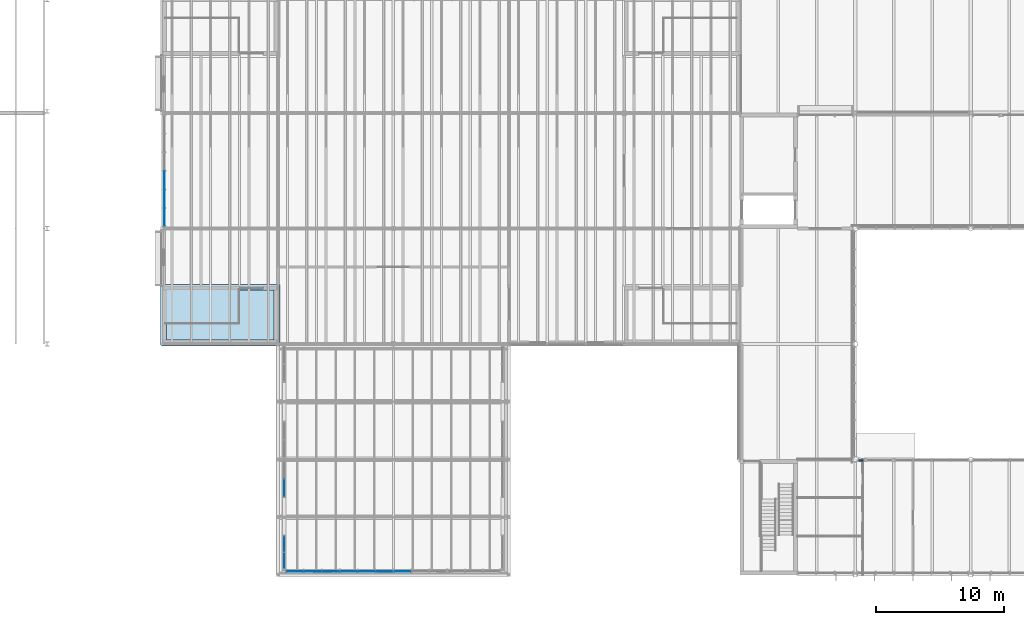
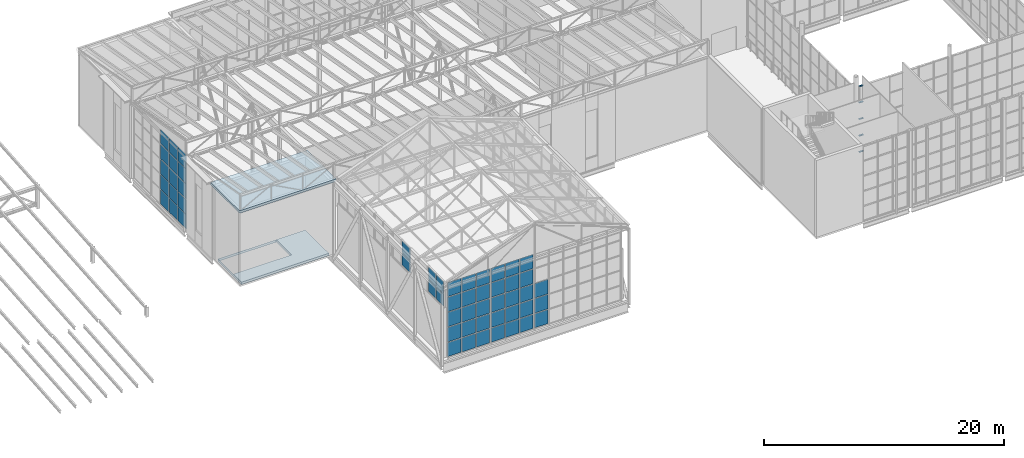
# One storey, part 66 of 90: 54 plates, 5 members, 2 slabs, 7 elements without a shape of their own.
"""IFC4 building model written with IfcOpenShell, lengths in metres."""

from ifc_helpers import new_model, si_unit, direction, frame, origin, origin_2d, place, context, subcontext, project, spatial, polyline, rectangle, outline, extrude, material, layer, layer_set, material_profile, profile_set, type_object, element, aggregate, save


model = new_model("IFC4")

# Units and contexts
model_context = context("Model", 3, precision=1e-05, world=origin(), true_north=direction((0.0, 1.0)))
body_context = subcontext(model_context, "Body", "Model", "MODEL_VIEW")
ifc_project = project(units=[si_unit("LENGTHUNIT", "METRE"), si_unit("AREAUNIT", "SQUARE_METRE"), si_unit("VOLUMEUNIT", "CUBIC_METRE"), si_unit("PLANEANGLEUNIT", "RADIAN"), si_unit("MASSUNIT", "GRAM", prefix="KILO")], contexts=[model_context])

# Site, building, storey
site_placement = place(None, origin())
site = spatial("IfcSite", under=ifc_project, at=site_placement, CompositionType="ELEMENT")
building_placement = place(site_placement, origin())
building = spatial("IfcBuilding", under=site, at=building_placement, Name="Halyard Row Museum", CompositionType="ELEMENT")
storey_placement = place(building_placement, frame((0.0, 0.0, 13.39990234375)))
storey = spatial("IfcBuildingStorey", under=building, at=storey_placement, Name="L03", CompositionType="ELEMENT", Elevation=13.39990234375)

# Curtain wall, members
ifc_material_1 = material(Name="Fire-resisting laminated glazing", Category="glass")
ifc_layer_1 = layer(ifc_material_1, 0.159912109375)
ifc_layer_set_1 = layer_set([ifc_layer_1], Name="Fire-resisting laminated glazing")
curtain_wall_type_1 = type_object("IfcCurtainWallType", Name="Curtain wall atrium screen 160 deep", PredefinedType="NOTDEFINED", material=ifc_layer_set_1)
curtain_wall_1_placement = place(storey_placement, origin())
curtain_wall_1 = element("IfcCurtainWall", 1, at=curtain_wall_1_placement, inside=storey, type_object=curtain_wall_type_1, Name="Curtain wall CW093", PredefinedType="NOTDEFINED")
ifc_material_2 = material(Name="Powder-coated aluminium section", Category="aluminium")
ifc_material_profile = material_profile(ifc_material_2, rectangle(XDim=0.1201171875, YDim=0.06005859375, at=origin_2d()), Name="120x60 transom")
ifc_profile_set = profile_set([ifc_material_profile], Name="Powder-coated aluminium section")
member_type = type_object("IfcMemberType", Name="Curtain wall transom CT5 60 x 120", PredefinedType="USERDEFINED", material=ifc_profile_set)
member_1_placement = place(storey_placement, frame((81.26318359375, 8.919921875, 0.030029296875), z_axis=(1.0, 0.0, 0.0), x_axis=(0.0, 1.0, 0.0)))
member_1 = element("IfcMember", 2, at=member_1_placement, type_object=member_type, Name="CW093 transom 1.1", ObjectType="TRANSOM", PredefinedType="USERDEFINED", context=body_context, shape_type="SweptSolid", body=[
    extrude(rectangle(XDim=0.1201171875, YDim=0.06005859375, at=origin_2d()), origin(), (0.0, 0.0, 1.0), 0.376708984375),
])
member_2_placement = place(storey_placement, frame((81.26318359375, 8.919921875, 1.68310546875), z_axis=(1.0, 0.0, 0.0), x_axis=(0.0, 1.0, 0.0)))
member_2 = element("IfcMember", 3, at=member_2_placement, type_object=member_type, Name="CW093 transom 1.2", ObjectType="TRANSOM", PredefinedType="USERDEFINED", context=body_context, shape_type="SweptSolid", body=[
    extrude(rectangle(XDim=0.1201171875, YDim=0.06005859375, at=origin_2d()), origin(), (0.0, 0.0, 1.0), 0.376708984375),
])
member_3_placement = place(storey_placement, frame((81.26318359375, 8.919921875, 3.3662109375), z_axis=(1.0, 0.0, 0.0), x_axis=(0.0, 1.0, 0.0)))
member_3 = element("IfcMember", 4, at=member_3_placement, type_object=member_type, Name="CW093 transom 1.3", ObjectType="TRANSOM", PredefinedType="USERDEFINED", context=body_context, shape_type="SweptSolid", body=[
    extrude(rectangle(XDim=0.1201171875, YDim=0.06005859375, at=origin_2d()), origin(), (0.0, 0.0, 1.0), 0.376708984375),
])
member_4_placement = place(storey_placement, frame((81.26318359375, 8.919921875, 5.049072265625), z_axis=(1.0, 0.0, 0.0), x_axis=(0.0, 1.0, 0.0)))
member_4 = element("IfcMember", 5, at=member_4_placement, type_object=member_type, Name="CW093 transom 1.4", ObjectType="TRANSOM", PredefinedType="USERDEFINED", context=body_context, shape_type="SweptSolid", body=[
    extrude(rectangle(XDim=0.1201171875, YDim=0.06005859375, at=origin_2d()), origin(), (0.0, 0.0, 1.0), 0.376708984375),
])
member_5_placement = place(storey_placement, frame((81.26318359375, 8.919921875, 6.7021484375), z_axis=(1.0, 0.0, 0.0), x_axis=(0.0, 1.0, 0.0)))
member_5 = element("IfcMember", 6, at=member_5_placement, type_object=member_type, Name="CW093 transom 1.5", ObjectType="TRANSOM", PredefinedType="USERDEFINED", context=body_context, shape_type="SweptSolid", body=[
    extrude(rectangle(XDim=0.1201171875, YDim=0.06005859375, at=origin_2d()), origin(), (0.0, 0.0, 1.0), 0.376708984375),
])
aggregate(curtain_wall_1, [member_1, member_2, member_3, member_4, member_5])

# Slabs
ifc_material_3 = material(Name="Concrete 40 MPa", Category="concrete")
ifc_layer_2 = layer(ifc_material_3, 0.25)
ifc_layer_set_2 = layer_set([ifc_layer_2], Name="Concrete 40 MPa")
slab_type_1 = type_object("IfcSlabType", Name="Core floor slab 250", PredefinedType="FLOOR", material=ifc_layer_set_2)
slab_1_placement = place(storey_placement, frame((0.0, 0.0, -0.25)))
element("IfcSlab", 7, at=slab_1_placement, inside=storey, type_object=slab_type_1, Name="Core floor K1D L03", PredefinedType="FLOOR", context=body_context, shape_type="SweptSolid", body=[
    extrude(outline(polyline([(35.699951171875, 22.199951171875), (27.300048828125, 22.199951171875), (27.300048828125, 18.300048828125), (35.699951171875, 18.300048828125), (35.699951171875, 22.199951171875)]), holes=[polyline([(27.302978515625, 19.653076171875), (27.302978515625, 22.197021484375), (32.89697265625, 22.197021484375), (32.89697265625, 19.653076171875), (27.302978515625, 19.653076171875)])]), origin(), (0.0, 0.0, 1.0), 0.25),
])
ifc_material_4 = material(Name="Concrete 40 MPa", Category="concrete")
ifc_layer_3 = layer(ifc_material_4, 0.25)
ifc_layer_set_3 = layer_set([ifc_layer_3], Name="Concrete 40 MPa")
slab_type_2 = type_object("IfcSlabType", Name="Core roof slab 250 reinforced concrete", PredefinedType="ROOF", material=ifc_layer_set_3)
slab_2_placement = place(storey_placement, frame((0.0, 0.0, 7.42822265625)))
element("IfcSlab", 8, at=slab_2_placement, inside=storey, type_object=slab_type_2, Name="Core roof K1D", PredefinedType="ROOF", context=body_context, shape_type="SweptSolid", body=[
    extrude(outline(polyline([(36.14990234375, 22.64990234375), (36.14990234375, 17.85009765625), (27.0, 17.85009765625), (26.9853515625, 17.850830078125), (26.970703125, 17.852783203125), (26.95654296875, 17.8564453125), (26.942626953125, 17.861328125), (26.92919921875, 17.86767578125), (26.916748046875, 17.875244140625), (26.90478515625, 17.884033203125), (26.89404296875, 17.89404296875), (26.884033203125, 17.90478515625), (26.875244140625, 17.916748046875), (26.86767578125, 17.92919921875), (26.861328125, 17.942626953125), (26.8564453125, 17.95654296875), (26.852783203125, 17.970703125), (26.850830078125, 17.9853515625), (26.85009765625, 18.0), (26.85009765625, 22.64990234375), (36.14990234375, 22.64990234375)])), origin(), (0.0, 0.0, 1.0), 0.25),
])

# Curtain wall, plates
ifc_material_5 = material(Name="Double glazed unit, low-emissivity", Category="glass")
ifc_layer_4 = layer(ifc_material_5, 0.179931640625)
ifc_layer_set_4 = layer_set([ifc_layer_4], Name="Double glazed unit, low-emissivity")
curtain_wall_type_2 = type_object("IfcCurtainWallType", Name="Curtain wall stick 180 deep", PredefinedType="NOTDEFINED", material=ifc_layer_set_4)
curtain_wall_2_placement = place(storey_placement, origin())
curtain_wall_2 = element("IfcCurtainWall", 9, at=curtain_wall_2_placement, inside=storey, type_object=curtain_wall_type_2, Name="Curtain wall CW067", PredefinedType="NOTDEFINED")
ifc_material_6 = material(Name="Double glazed unit, low-emissivity", Category="glass")
ifc_layer_5 = layer(ifc_material_6, 0.028076171875)
ifc_layer_set_5 = layer_set([ifc_layer_5], Name="Double glazed unit, low-emissivity")
plate_type_1 = type_object("IfcPlateType", Name="Curtain wall glazed panel CP2 28", PredefinedType="CURTAIN_PANEL", material=ifc_layer_set_5)
plate_1_placement = place(storey_placement, frame((36.489990234375, 1.123291015625, 5.1328125), z_axis=(0.0, 0.0, 1.0), x_axis=(0.0, 1.0, 0.0)))
plate_1 = element("IfcPlate", 10, at=plate_1_placement, type_object=plate_type_1, Name="CW067 panel 1.1", PredefinedType="CURTAIN_PANEL", context=body_context, shape_type="SweptSolid", body=[
    extrude(rectangle(XDim=1.2265625, YDim=0.028076171875, at=origin_2d()), origin(), (0.0, 0.0, 1.0), 1.2099609375),
])
plate_2_placement = place(storey_placement, frame((36.489990234375, 1.123291015625, 6.40283203125), z_axis=(0.0, 0.0, 1.0), x_axis=(0.0, 1.0, 0.0)))
plate_2 = element("IfcPlate", 11, at=plate_2_placement, type_object=plate_type_1, Name="CW067 panel 1.2", PredefinedType="CURTAIN_PANEL", context=body_context, shape_type="SweptSolid", body=[
    extrude(rectangle(XDim=1.2265625, YDim=0.028076171875, at=origin_2d()), origin(), (0.0, 0.0, 1.0), 1.2099609375),
])
plate_3_placement = place(storey_placement, frame((36.489990234375, 2.409912109375, 5.1328125), z_axis=(0.0, 0.0, 1.0), x_axis=(0.0, 1.0, 0.0)))
plate_3 = element("IfcPlate", 12, at=plate_3_placement, type_object=plate_type_1, Name="CW067 panel 2.1", PredefinedType="CURTAIN_PANEL", context=body_context, shape_type="SweptSolid", body=[
    extrude(rectangle(XDim=1.2265625, YDim=0.028076171875, at=origin_2d()), origin(), (0.0, 0.0, 1.0), 1.2099609375),
])
plate_4_placement = place(storey_placement, frame((36.489990234375, 2.409912109375, 6.40283203125), z_axis=(0.0, 0.0, 1.0), x_axis=(0.0, 1.0, 0.0)))
plate_4 = element("IfcPlate", 13, at=plate_4_placement, type_object=plate_type_1, Name="CW067 panel 2.2", PredefinedType="CURTAIN_PANEL", context=body_context, shape_type="SweptSolid", body=[
    extrude(rectangle(XDim=1.2265625, YDim=0.028076171875, at=origin_2d()), origin(), (0.0, 0.0, 1.0), 1.2099609375),
])
aggregate(curtain_wall_2, [plate_1, plate_2, plate_3, plate_4])

curtain_wall_3_placement = place(storey_placement, origin())
curtain_wall_3 = element("IfcCurtainWall", 14, at=curtain_wall_3_placement, inside=storey, type_object=curtain_wall_type_2, Name="Curtain wall CW068", PredefinedType="NOTDEFINED")
plate_5_placement = place(storey_placement, frame((36.489990234375, 6.764892578125, 5.1328125), z_axis=(0.0, 0.0, 1.0), x_axis=(0.0, 1.0, 0.0)))
plate_5 = element("IfcPlate", 15, at=plate_5_placement, type_object=plate_type_1, Name="CW068 panel 1.1", PredefinedType="CURTAIN_PANEL", context=body_context, shape_type="SweptSolid", body=[
    extrude(rectangle(XDim=1.34326171875, YDim=0.028076171875, at=origin_2d()), origin(), (0.0, 0.0, 1.0), 1.2099609375),
])
plate_6_placement = place(storey_placement, frame((36.489990234375, 6.764892578125, 6.40283203125), z_axis=(0.0, 0.0, 1.0), x_axis=(0.0, 1.0, 0.0)))
plate_6 = element("IfcPlate", 16, at=plate_6_placement, type_object=plate_type_1, Name="CW068 panel 1.2", PredefinedType="CURTAIN_PANEL", context=body_context, shape_type="SweptSolid", body=[
    extrude(rectangle(XDim=1.34326171875, YDim=0.028076171875, at=origin_2d()), origin(), (0.0, 0.0, 1.0), 1.2099609375),
])
aggregate(curtain_wall_3, [plate_5, plate_6])

ifc_material_7 = material(Name="Double glazed unit, low-emissivity", Category="glass")
ifc_layer_6 = layer(ifc_material_7, 0.300048828125)
ifc_layer_set_6 = layer_set([ifc_layer_6], Name="Double glazed unit, low-emissivity")
curtain_wall_type_3 = type_object("IfcCurtainWallType", Name="Curtain wall deep-framed 300 deep", PredefinedType="NOTDEFINED", material=ifc_layer_set_6)
curtain_wall_4_placement = place(storey_placement, origin())
curtain_wall_4 = element("IfcCurtainWall", 17, at=curtain_wall_4_placement, inside=storey, type_object=curtain_wall_type_3, Name="Curtain wall CW063", PredefinedType="NOTDEFINED")
ifc_material_8 = material(Name="Double glazed unit, low-emissivity", Category="glass")
ifc_layer_7 = layer(ifc_material_8, 0.0400390625)
ifc_layer_set_7 = layer_set([ifc_layer_7], Name="Double glazed unit, low-emissivity")
plate_type_2 = type_object("IfcPlateType", Name="Curtain wall glazed panel CP6 40", PredefinedType="CURTAIN_PANEL", material=ifc_layer_set_7)
plate_7_placement = place(storey_placement, frame((37.34619140625, 0.27490234375, 0.0751953125), z_axis=(0.0, 0.0, 1.0), x_axis=(1.0, 0.0, 0.0)))
plate_7 = element("IfcPlate", 18, at=plate_7_placement, type_object=plate_type_2, Name="CW063 panel 1.1", PredefinedType="CURTAIN_PANEL", context=body_context, shape_type="SweptSolid", body=[
    extrude(rectangle(XDim=1.282470703125, YDim=0.0400390625, at=origin_2d()), origin(), (0.0, 0.0, 1.0), 1.422119140625),
])
plate_8_placement = place(storey_placement, frame((37.34619140625, 0.27490234375, 1.572265625), z_axis=(0.0, 0.0, 1.0), x_axis=(1.0, 0.0, 0.0)))
plate_8 = element("IfcPlate", 19, at=plate_8_placement, type_object=plate_type_2, Name="CW063 panel 1.2", PredefinedType="CURTAIN_PANEL", context=body_context, shape_type="SweptSolid", body=[
    extrude(rectangle(XDim=1.282470703125, YDim=0.0400390625, at=origin_2d()), origin(), (0.0, 0.0, 1.0), 1.45947265625),
])
plate_9_placement = place(storey_placement, frame((37.34619140625, 0.27490234375, 3.106689453125), z_axis=(0.0, 0.0, 1.0), x_axis=(1.0, 0.0, 0.0)))
plate_9 = element("IfcPlate", 20, at=plate_9_placement, type_object=plate_type_2, Name="CW063 panel 1.3", PredefinedType="CURTAIN_PANEL", context=body_context, shape_type="SweptSolid", body=[
    extrude(rectangle(XDim=1.282470703125, YDim=0.0400390625, at=origin_2d()), origin(), (0.0, 0.0, 1.0), 1.45947265625),
])
plate_10_placement = place(storey_placement, frame((37.34619140625, 0.27490234375, 4.64111328125), z_axis=(0.0, 0.0, 1.0), x_axis=(1.0, 0.0, 0.0)))
plate_10 = element("IfcPlate", 21, at=plate_10_placement, type_object=plate_type_2, Name="CW063 panel 1.4", PredefinedType="CURTAIN_PANEL", context=body_context, shape_type="SweptSolid", body=[
    extrude(rectangle(XDim=1.282470703125, YDim=0.0400390625, at=origin_2d()), origin(), (0.0, 0.0, 1.0), 1.45947265625),
])
plate_11_placement = place(storey_placement, frame((37.34619140625, 0.27490234375, 6.17578125), z_axis=(0.0, 0.0, 1.0), x_axis=(1.0, 0.0, 0.0)))
plate_11 = element("IfcPlate", 22, at=plate_11_placement, type_object=plate_type_2, Name="CW063 panel 1.5", PredefinedType="CURTAIN_PANEL", context=body_context, shape_type="SweptSolid", body=[
    extrude(rectangle(XDim=1.282470703125, YDim=0.0400390625, at=origin_2d()), origin(), (0.0, 0.0, 1.0), 1.422119140625),
])
plate_12_placement = place(storey_placement, frame((38.722412109375, 0.27490234375, 0.0751953125), z_axis=(0.0, 0.0, 1.0), x_axis=(1.0, 0.0, 0.0)))
plate_12 = element("IfcPlate", 23, at=plate_12_placement, type_object=plate_type_2, Name="CW063 panel 2.1", PredefinedType="CURTAIN_PANEL", context=body_context, shape_type="SweptSolid", body=[
    extrude(rectangle(XDim=1.320068359375, YDim=0.0400390625, at=origin_2d()), origin(), (0.0, 0.0, 1.0), 1.422119140625),
])
plate_13_placement = place(storey_placement, frame((38.722412109375, 0.27490234375, 1.572265625), z_axis=(0.0, 0.0, 1.0), x_axis=(1.0, 0.0, 0.0)))
plate_13 = element("IfcPlate", 24, at=plate_13_placement, type_object=plate_type_2, Name="CW063 panel 2.2", PredefinedType="CURTAIN_PANEL", context=body_context, shape_type="SweptSolid", body=[
    extrude(rectangle(XDim=1.320068359375, YDim=0.0400390625, at=origin_2d()), origin(), (0.0, 0.0, 1.0), 1.45947265625),
])
plate_14_placement = place(storey_placement, frame((38.722412109375, 0.27490234375, 3.106689453125), z_axis=(0.0, 0.0, 1.0), x_axis=(1.0, 0.0, 0.0)))
plate_14 = element("IfcPlate", 25, at=plate_14_placement, type_object=plate_type_2, Name="CW063 panel 2.3", PredefinedType="CURTAIN_PANEL", context=body_context, shape_type="SweptSolid", body=[
    extrude(rectangle(XDim=1.320068359375, YDim=0.0400390625, at=origin_2d()), origin(), (0.0, 0.0, 1.0), 1.45947265625),
])
plate_15_placement = place(storey_placement, frame((38.722412109375, 0.27490234375, 4.64111328125), z_axis=(0.0, 0.0, 1.0), x_axis=(1.0, 0.0, 0.0)))
plate_15 = element("IfcPlate", 26, at=plate_15_placement, type_object=plate_type_2, Name="CW063 panel 2.4", PredefinedType="CURTAIN_PANEL", context=body_context, shape_type="SweptSolid", body=[
    extrude(rectangle(XDim=1.320068359375, YDim=0.0400390625, at=origin_2d()), origin(), (0.0, 0.0, 1.0), 1.45947265625),
])
plate_16_placement = place(storey_placement, frame((38.722412109375, 0.27490234375, 6.17578125), z_axis=(0.0, 0.0, 1.0), x_axis=(1.0, 0.0, 0.0)))
plate_16 = element("IfcPlate", 27, at=plate_16_placement, type_object=plate_type_2, Name="CW063 panel 2.5", PredefinedType="CURTAIN_PANEL", context=body_context, shape_type="SweptSolid", body=[
    extrude(rectangle(XDim=1.320068359375, YDim=0.0400390625, at=origin_2d()), origin(), (0.0, 0.0, 1.0), 1.422119140625),
])
plate_17_placement = place(storey_placement, frame((40.0986328125, 0.27490234375, 0.0751953125), z_axis=(0.0, 0.0, 1.0), x_axis=(1.0, 0.0, 0.0)))
plate_17 = element("IfcPlate", 28, at=plate_17_placement, type_object=plate_type_2, Name="CW063 panel 3.1", PredefinedType="CURTAIN_PANEL", context=body_context, shape_type="SweptSolid", body=[
    extrude(rectangle(XDim=1.282470703125, YDim=0.0400390625, at=origin_2d()), origin(), (0.0, 0.0, 1.0), 1.422119140625),
])
plate_18_placement = place(storey_placement, frame((40.0986328125, 0.27490234375, 1.572265625), z_axis=(0.0, 0.0, 1.0), x_axis=(1.0, 0.0, 0.0)))
plate_18 = element("IfcPlate", 29, at=plate_18_placement, type_object=plate_type_2, Name="CW063 panel 3.2", PredefinedType="CURTAIN_PANEL", context=body_context, shape_type="SweptSolid", body=[
    extrude(rectangle(XDim=1.282470703125, YDim=0.0400390625, at=origin_2d()), origin(), (0.0, 0.0, 1.0), 1.45947265625),
])
plate_19_placement = place(storey_placement, frame((40.0986328125, 0.27490234375, 3.106689453125), z_axis=(0.0, 0.0, 1.0), x_axis=(1.0, 0.0, 0.0)))
plate_19 = element("IfcPlate", 30, at=plate_19_placement, type_object=plate_type_2, Name="CW063 panel 3.3", PredefinedType="CURTAIN_PANEL", context=body_context, shape_type="SweptSolid", body=[
    extrude(rectangle(XDim=1.282470703125, YDim=0.0400390625, at=origin_2d()), origin(), (0.0, 0.0, 1.0), 1.45947265625),
])
plate_20_placement = place(storey_placement, frame((40.0986328125, 0.27490234375, 4.64111328125), z_axis=(0.0, 0.0, 1.0), x_axis=(1.0, 0.0, 0.0)))
plate_20 = element("IfcPlate", 31, at=plate_20_placement, type_object=plate_type_2, Name="CW063 panel 3.4", PredefinedType="CURTAIN_PANEL", context=body_context, shape_type="SweptSolid", body=[
    extrude(rectangle(XDim=1.282470703125, YDim=0.0400390625, at=origin_2d()), origin(), (0.0, 0.0, 1.0), 1.45947265625),
])
plate_21_placement = place(storey_placement, frame((40.0986328125, 0.27490234375, 6.17578125), z_axis=(0.0, 0.0, 1.0), x_axis=(1.0, 0.0, 0.0)))
plate_21 = element("IfcPlate", 32, at=plate_21_placement, type_object=plate_type_2, Name="CW063 panel 3.5", PredefinedType="CURTAIN_PANEL", context=body_context, shape_type="SweptSolid", body=[
    extrude(rectangle(XDim=1.282470703125, YDim=0.0400390625, at=origin_2d()), origin(), (0.0, 0.0, 1.0), 1.422119140625),
])
aggregate(curtain_wall_4, [plate_7, plate_8, plate_9, plate_10, plate_11, plate_12, plate_13, plate_14, plate_15, plate_16, plate_17, plate_18, plate_19, plate_20, plate_21])

curtain_wall_5_placement = place(storey_placement, origin())
curtain_wall_5 = element("IfcCurtainWall", 33, at=curtain_wall_5_placement, inside=storey, type_object=curtain_wall_type_3, Name="Curtain wall CW064", PredefinedType="NOTDEFINED")
plate_22_placement = place(storey_placement, frame((41.53125, 0.27490234375, 0.0751953125), z_axis=(0.0, 0.0, 1.0), x_axis=(1.0, 0.0, 0.0)))
plate_22 = element("IfcPlate", 34, at=plate_22_placement, type_object=plate_type_2, Name="CW064 panel 1.1", PredefinedType="CURTAIN_PANEL", context=body_context, shape_type="SweptSolid", body=[
    extrude(rectangle(XDim=1.282470703125, YDim=0.0400390625, at=origin_2d()), origin(), (0.0, 0.0, 1.0), 1.422119140625),
])
plate_23_placement = place(storey_placement, frame((41.53125, 0.27490234375, 1.572265625), z_axis=(0.0, 0.0, 1.0), x_axis=(1.0, 0.0, 0.0)))
plate_23 = element("IfcPlate", 35, at=plate_23_placement, type_object=plate_type_2, Name="CW064 panel 1.2", PredefinedType="CURTAIN_PANEL", context=body_context, shape_type="SweptSolid", body=[
    extrude(rectangle(XDim=1.282470703125, YDim=0.0400390625, at=origin_2d()), origin(), (0.0, 0.0, 1.0), 1.45947265625),
])
plate_24_placement = place(storey_placement, frame((41.53125, 0.27490234375, 3.106689453125), z_axis=(0.0, 0.0, 1.0), x_axis=(1.0, 0.0, 0.0)))
plate_24 = element("IfcPlate", 36, at=plate_24_placement, type_object=plate_type_2, Name="CW064 panel 1.3", PredefinedType="CURTAIN_PANEL", context=body_context, shape_type="SweptSolid", body=[
    extrude(rectangle(XDim=1.282470703125, YDim=0.0400390625, at=origin_2d()), origin(), (0.0, 0.0, 1.0), 1.45947265625),
])
plate_25_placement = place(storey_placement, frame((41.53125, 0.27490234375, 4.64111328125), z_axis=(0.0, 0.0, 1.0), x_axis=(1.0, 0.0, 0.0)))
plate_25 = element("IfcPlate", 37, at=plate_25_placement, type_object=plate_type_2, Name="CW064 panel 1.4", PredefinedType="CURTAIN_PANEL", context=body_context, shape_type="SweptSolid", body=[
    extrude(rectangle(XDim=1.282470703125, YDim=0.0400390625, at=origin_2d()), origin(), (0.0, 0.0, 1.0), 1.45947265625),
])
plate_26_placement = place(storey_placement, frame((41.53125, 0.27490234375, 6.17578125), z_axis=(0.0, 0.0, 1.0), x_axis=(1.0, 0.0, 0.0)))
plate_26 = element("IfcPlate", 38, at=plate_26_placement, type_object=plate_type_2, Name="CW064 panel 1.5", PredefinedType="CURTAIN_PANEL", context=body_context, shape_type="SweptSolid", body=[
    extrude(rectangle(XDim=1.282470703125, YDim=0.0400390625, at=origin_2d()), origin(), (0.0, 0.0, 1.0), 1.422119140625),
])
plate_27_placement = place(storey_placement, frame((42.907470703125, 0.27490234375, 0.0751953125), z_axis=(0.0, 0.0, 1.0), x_axis=(1.0, 0.0, 0.0)))
plate_27 = element("IfcPlate", 39, at=plate_27_placement, type_object=plate_type_2, Name="CW064 panel 2.1", PredefinedType="CURTAIN_PANEL", context=body_context, shape_type="SweptSolid", body=[
    extrude(rectangle(XDim=1.320068359375, YDim=0.0400390625, at=origin_2d()), origin(), (0.0, 0.0, 1.0), 1.422119140625),
])
plate_28_placement = place(storey_placement, frame((42.907470703125, 0.27490234375, 1.572265625), z_axis=(0.0, 0.0, 1.0), x_axis=(1.0, 0.0, 0.0)))
plate_28 = element("IfcPlate", 40, at=plate_28_placement, type_object=plate_type_2, Name="CW064 panel 2.2", PredefinedType="CURTAIN_PANEL", context=body_context, shape_type="SweptSolid", body=[
    extrude(rectangle(XDim=1.320068359375, YDim=0.0400390625, at=origin_2d()), origin(), (0.0, 0.0, 1.0), 1.45947265625),
])
plate_29_placement = place(storey_placement, frame((42.907470703125, 0.27490234375, 3.106689453125), z_axis=(0.0, 0.0, 1.0), x_axis=(1.0, 0.0, 0.0)))
plate_29 = element("IfcPlate", 41, at=plate_29_placement, type_object=plate_type_2, Name="CW064 panel 2.3", PredefinedType="CURTAIN_PANEL", context=body_context, shape_type="SweptSolid", body=[
    extrude(rectangle(XDim=1.320068359375, YDim=0.0400390625, at=origin_2d()), origin(), (0.0, 0.0, 1.0), 1.45947265625),
])
plate_30_placement = place(storey_placement, frame((42.907470703125, 0.27490234375, 4.64111328125), z_axis=(0.0, 0.0, 1.0), x_axis=(1.0, 0.0, 0.0)))
plate_30 = element("IfcPlate", 42, at=plate_30_placement, type_object=plate_type_2, Name="CW064 panel 2.4", PredefinedType="CURTAIN_PANEL", context=body_context, shape_type="SweptSolid", body=[
    extrude(rectangle(XDim=1.320068359375, YDim=0.0400390625, at=origin_2d()), origin(), (0.0, 0.0, 1.0), 1.45947265625),
])
plate_31_placement = place(storey_placement, frame((42.907470703125, 0.27490234375, 6.17578125), z_axis=(0.0, 0.0, 1.0), x_axis=(1.0, 0.0, 0.0)))
plate_31 = element("IfcPlate", 43, at=plate_31_placement, type_object=plate_type_2, Name="CW064 panel 2.5", PredefinedType="CURTAIN_PANEL", context=body_context, shape_type="SweptSolid", body=[
    extrude(rectangle(XDim=1.320068359375, YDim=0.0400390625, at=origin_2d()), origin(), (0.0, 0.0, 1.0), 1.422119140625),
])
plate_32_placement = place(storey_placement, frame((44.28369140625, 0.27490234375, 0.0751953125), z_axis=(0.0, 0.0, 1.0), x_axis=(1.0, 0.0, 0.0)))
plate_32 = element("IfcPlate", 44, at=plate_32_placement, type_object=plate_type_2, Name="CW064 panel 3.1", PredefinedType="CURTAIN_PANEL", context=body_context, shape_type="SweptSolid", body=[
    extrude(rectangle(XDim=1.282470703125, YDim=0.0400390625, at=origin_2d()), origin(), (0.0, 0.0, 1.0), 1.422119140625),
])
plate_33_placement = place(storey_placement, frame((44.28369140625, 0.27490234375, 1.572265625), z_axis=(0.0, 0.0, 1.0), x_axis=(1.0, 0.0, 0.0)))
plate_33 = element("IfcPlate", 45, at=plate_33_placement, type_object=plate_type_2, Name="CW064 panel 3.2", PredefinedType="CURTAIN_PANEL", context=body_context, shape_type="SweptSolid", body=[
    extrude(rectangle(XDim=1.282470703125, YDim=0.0400390625, at=origin_2d()), origin(), (0.0, 0.0, 1.0), 1.45947265625),
])
plate_34_placement = place(storey_placement, frame((44.28369140625, 0.27490234375, 3.106689453125), z_axis=(0.0, 0.0, 1.0), x_axis=(1.0, 0.0, 0.0)))
plate_34 = element("IfcPlate", 46, at=plate_34_placement, type_object=plate_type_2, Name="CW064 panel 3.3", PredefinedType="CURTAIN_PANEL", context=body_context, shape_type="SweptSolid", body=[
    extrude(rectangle(XDim=1.282470703125, YDim=0.0400390625, at=origin_2d()), origin(), (0.0, 0.0, 1.0), 1.45947265625),
])
plate_35_placement = place(storey_placement, frame((44.28369140625, 0.27490234375, 4.64111328125), z_axis=(0.0, 0.0, 1.0), x_axis=(1.0, 0.0, 0.0)))
plate_35 = element("IfcPlate", 47, at=plate_35_placement, type_object=plate_type_2, Name="CW064 panel 3.4", PredefinedType="CURTAIN_PANEL", context=body_context, shape_type="SweptSolid", body=[
    extrude(rectangle(XDim=1.282470703125, YDim=0.0400390625, at=origin_2d()), origin(), (0.0, 0.0, 1.0), 1.45947265625),
])
plate_36_placement = place(storey_placement, frame((44.28369140625, 0.27490234375, 6.17578125), z_axis=(0.0, 0.0, 1.0), x_axis=(1.0, 0.0, 0.0)))
plate_36 = element("IfcPlate", 48, at=plate_36_placement, type_object=plate_type_2, Name="CW064 panel 3.5", PredefinedType="CURTAIN_PANEL", context=body_context, shape_type="SweptSolid", body=[
    extrude(rectangle(XDim=1.282470703125, YDim=0.0400390625, at=origin_2d()), origin(), (0.0, 0.0, 1.0), 1.422119140625),
])
aggregate(curtain_wall_5, [plate_22, plate_23, plate_24, plate_25, plate_26, plate_27, plate_28, plate_29, plate_30, plate_31, plate_32, plate_33, plate_34, plate_35, plate_36])

curtain_wall_6_placement = place(storey_placement, origin())
curtain_wall_6 = element("IfcCurtainWall", 49, at=curtain_wall_6_placement, inside=storey, type_object=curtain_wall_type_3, Name="Curtain wall CW065", PredefinedType="NOTDEFINED")
plate_37_placement = place(storey_placement, frame((45.71630859375, 0.27490234375, 0.0751953125), z_axis=(0.0, 0.0, 1.0), x_axis=(1.0, 0.0, 0.0)))
plate_37 = element("IfcPlate", 50, at=plate_37_placement, type_object=plate_type_2, Name="CW065 panel 1.1", PredefinedType="CURTAIN_PANEL", context=body_context, shape_type="SweptSolid", body=[
    extrude(rectangle(XDim=1.282470703125, YDim=0.0400390625, at=origin_2d()), origin(), (0.0, 0.0, 1.0), 1.422119140625),
])
plate_38_placement = place(storey_placement, frame((45.71630859375, 0.27490234375, 1.572265625), z_axis=(0.0, 0.0, 1.0), x_axis=(1.0, 0.0, 0.0)))
plate_38 = element("IfcPlate", 51, at=plate_38_placement, type_object=plate_type_2, Name="CW065 panel 1.2", PredefinedType="CURTAIN_PANEL", context=body_context, shape_type="SweptSolid", body=[
    extrude(rectangle(XDim=1.282470703125, YDim=0.0400390625, at=origin_2d()), origin(), (0.0, 0.0, 1.0), 1.45947265625),
])
plate_39_placement = place(storey_placement, frame((45.71630859375, 0.27490234375, 3.106689453125), z_axis=(0.0, 0.0, 1.0), x_axis=(1.0, 0.0, 0.0)))
plate_39 = element("IfcPlate", 52, at=plate_39_placement, type_object=plate_type_2, Name="CW065 panel 1.3", PredefinedType="CURTAIN_PANEL", context=body_context, shape_type="SweptSolid", body=[
    extrude(rectangle(XDim=1.282470703125, YDim=0.0400390625, at=origin_2d()), origin(), (0.0, 0.0, 1.0), 1.45947265625),
])
aggregate(curtain_wall_6, [plate_37, plate_38, plate_39])

ifc_material_9 = material(Name="Double glazed unit, low-emissivity", Category="glass")
ifc_layer_8 = layer(ifc_material_9, 0.199951171875)
ifc_layer_set_8 = layer_set([ifc_layer_8], Name="Double glazed unit, low-emissivity")
curtain_wall_type_4 = type_object("IfcCurtainWallType", Name="Curtain wall gable 200 deep", PredefinedType="NOTDEFINED", material=ifc_layer_set_8)
curtain_wall_7_placement = place(storey_placement, origin())
curtain_wall_7 = element("IfcCurtainWall", 53, at=curtain_wall_7_placement, inside=storey, type_object=curtain_wall_type_4, Name="Curtain wall CW054", PredefinedType="NOTDEFINED")
ifc_material_10 = material(Name="Double glazed unit, low-emissivity", Category="glass")
ifc_layer_9 = layer(ifc_material_10, 0.030029296875)
ifc_layer_set_9 = layer_set([ifc_layer_9], Name="Double glazed unit, low-emissivity")
plate_type_3 = type_object("IfcPlateType", Name="Curtain wall glazed panel CP7 30", PredefinedType="CURTAIN_PANEL", material=ifc_layer_set_9)
plate_40_placement = place(storey_placement, frame((27.14990234375, 30.77490234375, 0.05517578125), z_axis=(0.0, 0.0, 1.0), x_axis=(0.0, -1.0, 0.0)))
plate_40 = element("IfcPlate", 54, at=plate_40_placement, type_object=plate_type_3, Name="CW054 panel 4.1", PredefinedType="CURTAIN_PANEL", context=body_context, shape_type="SweptSolid", body=[
    extrude(rectangle(XDim=1.39501953125, YDim=0.030029296875, at=origin_2d()), origin(), (0.0, 0.0, 1.0), 1.453125),
])
plate_41_placement = place(storey_placement, frame((27.14990234375, 30.77490234375, 1.56298828125), z_axis=(0.0, 0.0, 1.0), x_axis=(0.0, -1.0, 0.0)))
plate_41 = element("IfcPlate", 55, at=plate_41_placement, type_object=plate_type_3, Name="CW054 panel 4.2", PredefinedType="CURTAIN_PANEL", context=body_context, shape_type="SweptSolid", body=[
    extrude(rectangle(XDim=1.39501953125, YDim=0.030029296875, at=origin_2d()), origin(), (0.0, 0.0, 1.0), 1.480712890625),
])
plate_42_placement = place(storey_placement, frame((27.14990234375, 30.77490234375, 3.0986328125), z_axis=(0.0, 0.0, 1.0), x_axis=(0.0, -1.0, 0.0)))
plate_42 = element("IfcPlate", 56, at=plate_42_placement, type_object=plate_type_3, Name="CW054 panel 4.3", PredefinedType="CURTAIN_PANEL", context=body_context, shape_type="SweptSolid", body=[
    extrude(rectangle(XDim=1.39501953125, YDim=0.030029296875, at=origin_2d()), origin(), (0.0, 0.0, 1.0), 1.480712890625),
])
plate_43_placement = place(storey_placement, frame((27.14990234375, 30.77490234375, 4.63427734375), z_axis=(0.0, 0.0, 1.0), x_axis=(0.0, -1.0, 0.0)))
plate_43 = element("IfcPlate", 57, at=plate_43_placement, type_object=plate_type_3, Name="CW054 panel 4.4", PredefinedType="CURTAIN_PANEL", context=body_context, shape_type="SweptSolid", body=[
    extrude(rectangle(XDim=1.39501953125, YDim=0.030029296875, at=origin_2d()), origin(), (0.0, 0.0, 1.0), 1.480712890625),
])
plate_44_placement = place(storey_placement, frame((27.14990234375, 30.77490234375, 6.170166015625), z_axis=(0.0, 0.0, 1.0), x_axis=(0.0, -1.0, 0.0)))
plate_44 = element("IfcPlate", 58, at=plate_44_placement, type_object=plate_type_3, Name="CW054 panel 4.5", PredefinedType="CURTAIN_PANEL", context=body_context, shape_type="SweptSolid", body=[
    extrude(rectangle(XDim=1.39501953125, YDim=0.030029296875, at=origin_2d()), origin(), (0.0, 0.0, 1.0), 1.453125),
])
plate_45_placement = place(storey_placement, frame((27.14990234375, 29.324951171875, 0.05517578125), z_axis=(0.0, 0.0, 1.0), x_axis=(0.0, -1.0, 0.0)))
plate_45 = element("IfcPlate", 59, at=plate_45_placement, type_object=plate_type_3, Name="CW054 panel 5.1", PredefinedType="CURTAIN_PANEL", context=body_context, shape_type="SweptSolid", body=[
    extrude(rectangle(XDim=1.39501953125, YDim=0.030029296875, at=origin_2d()), origin(), (0.0, 0.0, 1.0), 1.453125),
])
plate_46_placement = place(storey_placement, frame((27.14990234375, 29.324951171875, 1.56298828125), z_axis=(0.0, 0.0, 1.0), x_axis=(0.0, -1.0, 0.0)))
plate_46 = element("IfcPlate", 60, at=plate_46_placement, type_object=plate_type_3, Name="CW054 panel 5.2", PredefinedType="CURTAIN_PANEL", context=body_context, shape_type="SweptSolid", body=[
    extrude(rectangle(XDim=1.39501953125, YDim=0.030029296875, at=origin_2d()), origin(), (0.0, 0.0, 1.0), 1.480712890625),
])
plate_47_placement = place(storey_placement, frame((27.14990234375, 29.324951171875, 3.0986328125), z_axis=(0.0, 0.0, 1.0), x_axis=(0.0, -1.0, 0.0)))
plate_47 = element("IfcPlate", 61, at=plate_47_placement, type_object=plate_type_3, Name="CW054 panel 5.3", PredefinedType="CURTAIN_PANEL", context=body_context, shape_type="SweptSolid", body=[
    extrude(rectangle(XDim=1.39501953125, YDim=0.030029296875, at=origin_2d()), origin(), (0.0, 0.0, 1.0), 1.480712890625),
])
plate_48_placement = place(storey_placement, frame((27.14990234375, 29.324951171875, 4.63427734375), z_axis=(0.0, 0.0, 1.0), x_axis=(0.0, -1.0, 0.0)))
plate_48 = element("IfcPlate", 62, at=plate_48_placement, type_object=plate_type_3, Name="CW054 panel 5.4", PredefinedType="CURTAIN_PANEL", context=body_context, shape_type="SweptSolid", body=[
    extrude(rectangle(XDim=1.39501953125, YDim=0.030029296875, at=origin_2d()), origin(), (0.0, 0.0, 1.0), 1.480712890625),
])
plate_49_placement = place(storey_placement, frame((27.14990234375, 29.324951171875, 6.170166015625), z_axis=(0.0, 0.0, 1.0), x_axis=(0.0, -1.0, 0.0)))
plate_49 = element("IfcPlate", 63, at=plate_49_placement, type_object=plate_type_3, Name="CW054 panel 5.5", PredefinedType="CURTAIN_PANEL", context=body_context, shape_type="SweptSolid", body=[
    extrude(rectangle(XDim=1.39501953125, YDim=0.030029296875, at=origin_2d()), origin(), (0.0, 0.0, 1.0), 1.453125),
])
plate_50_placement = place(storey_placement, frame((27.14990234375, 27.888671875, 0.05517578125), z_axis=(0.0, 0.0, 1.0), x_axis=(0.0, -1.0, 0.0)))
plate_50 = element("IfcPlate", 64, at=plate_50_placement, type_object=plate_type_3, Name="CW054 panel 6.1", PredefinedType="CURTAIN_PANEL", context=body_context, shape_type="SweptSolid", body=[
    extrude(rectangle(XDim=1.367431640625, YDim=0.030029296875, at=origin_2d()), origin(), (0.0, 0.0, 1.0), 1.453125),
])
plate_51_placement = place(storey_placement, frame((27.14990234375, 27.888671875, 1.56298828125), z_axis=(0.0, 0.0, 1.0), x_axis=(0.0, -1.0, 0.0)))
plate_51 = element("IfcPlate", 65, at=plate_51_placement, type_object=plate_type_3, Name="CW054 panel 6.2", PredefinedType="CURTAIN_PANEL", context=body_context, shape_type="SweptSolid", body=[
    extrude(rectangle(XDim=1.367431640625, YDim=0.030029296875, at=origin_2d()), origin(), (0.0, 0.0, 1.0), 1.480712890625),
])
plate_52_placement = place(storey_placement, frame((27.14990234375, 27.888671875, 3.0986328125), z_axis=(0.0, 0.0, 1.0), x_axis=(0.0, -1.0, 0.0)))
plate_52 = element("IfcPlate", 66, at=plate_52_placement, type_object=plate_type_3, Name="CW054 panel 6.3", PredefinedType="CURTAIN_PANEL", context=body_context, shape_type="SweptSolid", body=[
    extrude(rectangle(XDim=1.367431640625, YDim=0.030029296875, at=origin_2d()), origin(), (0.0, 0.0, 1.0), 1.480712890625),
])
plate_53_placement = place(storey_placement, frame((27.14990234375, 27.888671875, 4.63427734375), z_axis=(0.0, 0.0, 1.0), x_axis=(0.0, -1.0, 0.0)))
plate_53 = element("IfcPlate", 67, at=plate_53_placement, type_object=plate_type_3, Name="CW054 panel 6.4", PredefinedType="CURTAIN_PANEL", context=body_context, shape_type="SweptSolid", body=[
    extrude(rectangle(XDim=1.367431640625, YDim=0.030029296875, at=origin_2d()), origin(), (0.0, 0.0, 1.0), 1.480712890625),
])
plate_54_placement = place(storey_placement, frame((27.14990234375, 27.888671875, 6.170166015625), z_axis=(0.0, 0.0, 1.0), x_axis=(0.0, -1.0, 0.0)))
plate_54 = element("IfcPlate", 68, at=plate_54_placement, type_object=plate_type_3, Name="CW054 panel 6.5", PredefinedType="CURTAIN_PANEL", context=body_context, shape_type="SweptSolid", body=[
    extrude(rectangle(XDim=1.367431640625, YDim=0.030029296875, at=origin_2d()), origin(), (0.0, 0.0, 1.0), 1.453125),
])
aggregate(curtain_wall_7, [plate_40, plate_41, plate_42, plate_43, plate_44, plate_45, plate_46, plate_47, plate_48, plate_49, plate_50, plate_51, plate_52, plate_53, plate_54])

save(model, "model.ifc")
